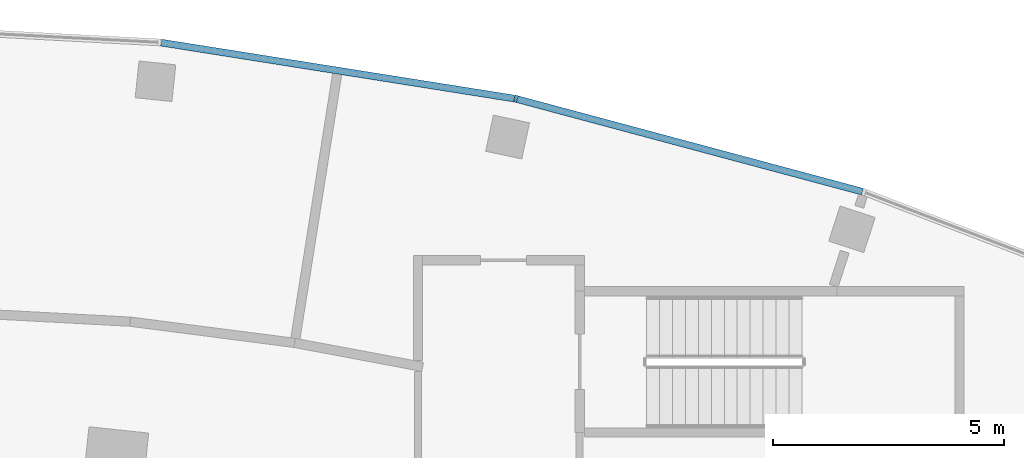
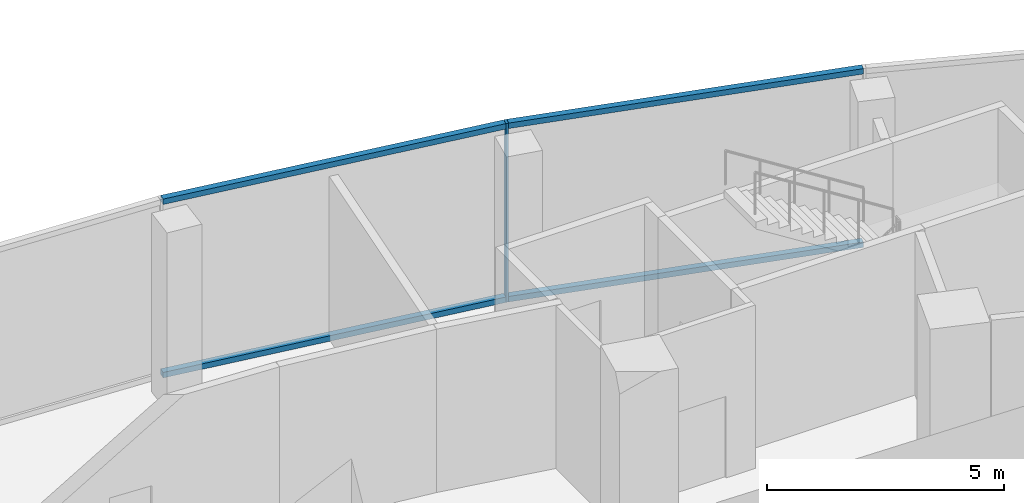
# One storey, part 15 of 40: 5 members, 1 element without a shape of its own.
"""IFC4 building model written with IfcOpenShell, lengths in metres."""

from ifc_helpers import new_model, si_unit, direction, frame, origin, origin_2d, place, context, subcontext, project, spatial, rectangle, extrude, material, layer, layer_set, material_profile, profile_set, type_object, element, aggregate, save


model = new_model("IFC4")

# Units and contexts
model_context = context("Model", 3, precision=1e-05, world=origin(), true_north=direction((0.0, 1.0)))
body_context = subcontext(model_context, "Body", "Model", "MODEL_VIEW")
ifc_project = project(units=[si_unit("LENGTHUNIT", "METRE"), si_unit("AREAUNIT", "SQUARE_METRE"), si_unit("VOLUMEUNIT", "CUBIC_METRE"), si_unit("PLANEANGLEUNIT", "RADIAN"), si_unit("MASSUNIT", "GRAM", prefix="KILO")], contexts=[model_context])

# Site, building, storey
site_placement = place(None, origin())
site = spatial("IfcSite", under=ifc_project, at=site_placement, CompositionType="ELEMENT")
building_placement = place(site_placement, origin())
building = spatial("IfcBuilding", under=site, at=building_placement, Name="Stone Belt Terrace Tower", CompositionType="ELEMENT")
storey_placement = place(building_placement, frame((0.0, 0.0, 7.0)))
storey = spatial("IfcBuildingStorey", under=building, at=storey_placement, Name="L01", CompositionType="ELEMENT", Elevation=7.0)

# Curtain wall, members
ifc_material = material(Name="Aluminium 6063-T6 anodised frame", Category="aluminium")
ifc_layer = layer(ifc_material, 0.14990234375)
ifc_layer_set = layer_set([ifc_layer], Name="CW-D podium shopfront")
curtain_wall_type = type_object("IfcCurtainWallType", Name="CW-D podium shopfront", PredefinedType="NOTDEFINED", material=ifc_layer_set)
curtain_wall_placement = place(storey_placement, origin())
curtain_wall = element("IfcCurtainWall", 1, at=curtain_wall_placement, inside=storey, type_object=curtain_wall_type, Name="CW-D convex face L01", PredefinedType="NOTDEFINED")
ifc_material_profile_1 = material_profile(ifc_material, rectangle(XDim=0.14990234375, YDim=0.06005859375, at=origin_2d()), Name="Aluminium 6063-T6 60x150")
ifc_profile_set_1 = profile_set([ifc_material_profile_1], Name="Aluminium 6063-T6 anodised frame")
member_type_1 = type_object("IfcMemberType", Name="CW-D mullion 60 x 150", PredefinedType="MULLION", material=ifc_profile_set_1)
member_1_placement = place(storey_placement, frame((15.505126953125, 72.945556640625, 0.0), z_axis=(0.0, 0.0, 1.0), x_axis=(-0.207911690818, -0.978147600734, 0.0)))
member_1 = element("IfcMember", 2, at=member_1_placement, type_object=member_type_1, Name="CW-D mullion 11", PredefinedType="MULLION", context=body_context, shape_type="SweptSolid", body=[
    extrude(rectangle(XDim=0.14990234375, YDim=0.06005859375, at=origin_2d()), origin(), (0.0, 0.0, 1.0), 4.60009765625),
])
ifc_material_profile_2 = material_profile(ifc_material, rectangle(XDim=0.14990234375, YDim=0.139892578125, at=origin_2d()), Name="Aluminium 6063-T6 150x140")
ifc_profile_set_2 = profile_set([ifc_material_profile_2], Name="Aluminium 6063-T6 anodised frame")
member_type_2 = type_object("IfcMemberType", Name="CW-D transom 140 x 150", PredefinedType="USERDEFINED", material=ifc_profile_set_2)
member_2_placement = place(storey_placement, frame((23.01220703125, 70.933837890625, 0.070068359375), z_axis=(-0.965920024897, 0.258840695223, 0.0), x_axis=(-0.258840695223, -0.965920024897, 0.0)))
member_2 = element("IfcMember", 3, at=member_2_placement, type_object=member_type_2, Name="CW-D transom 10.1", ObjectType="TRANSOM", PredefinedType="USERDEFINED", context=body_context, shape_type="SweptSolid", body=[
    extrude(rectangle(XDim=0.14990234375, YDim=0.139892578125, at=origin_2d()), origin(), (0.0, 0.0, 1.0), 7.738037109375),
])
member_3_placement = place(storey_placement, frame((23.01220703125, 70.933837890625, 4.530029296875), z_axis=(-0.965920024897, 0.258840695223, 0.0), x_axis=(-0.258840695223, -0.965920024897, 0.0)))
member_3 = element("IfcMember", 4, at=member_3_placement, type_object=member_type_2, Name="CW-D transom 10.2", ObjectType="TRANSOM", PredefinedType="USERDEFINED", context=body_context, shape_type="SweptSolid", body=[
    extrude(rectangle(XDim=0.14990234375, YDim=0.139892578125, at=origin_2d()), origin(), (0.0, 0.0, 1.0), 7.738037109375),
])
member_4_placement = place(storey_placement, frame((15.4716796875, 72.95068359375, 0.070068359375), z_axis=(-0.987685334162, 0.156453445733, 0.0), x_axis=(-0.156453445733, -0.987685334162, 0.0)))
member_4 = element("IfcMember", 5, at=member_4_placement, type_object=member_type_2, Name="CW-D transom 11.1", ObjectType="TRANSOM", PredefinedType="USERDEFINED", context=body_context, shape_type="SweptSolid", body=[
    extrude(rectangle(XDim=0.14990234375, YDim=0.139892578125, at=origin_2d()), origin(), (0.0, 0.0, 1.0), 7.73828125),
])
member_5_placement = place(storey_placement, frame((15.4716796875, 72.95068359375, 4.530029296875), z_axis=(-0.987685334162, 0.156453445733, 0.0), x_axis=(-0.156453445733, -0.987685334162, 0.0)))
member_5 = element("IfcMember", 6, at=member_5_placement, type_object=member_type_2, Name="CW-D transom 11.2", ObjectType="TRANSOM", PredefinedType="USERDEFINED", context=body_context, shape_type="SweptSolid", body=[
    extrude(rectangle(XDim=0.14990234375, YDim=0.139892578125, at=origin_2d()), origin(), (0.0, 0.0, 1.0), 7.73828125),
])
aggregate(curtain_wall, [member_1, member_2, member_3, member_4, member_5])

save(model, "model.ifc")
